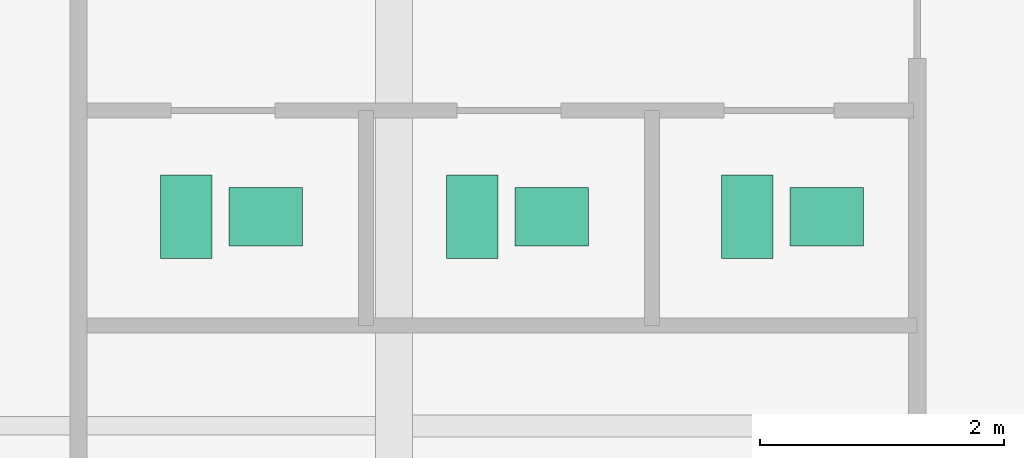
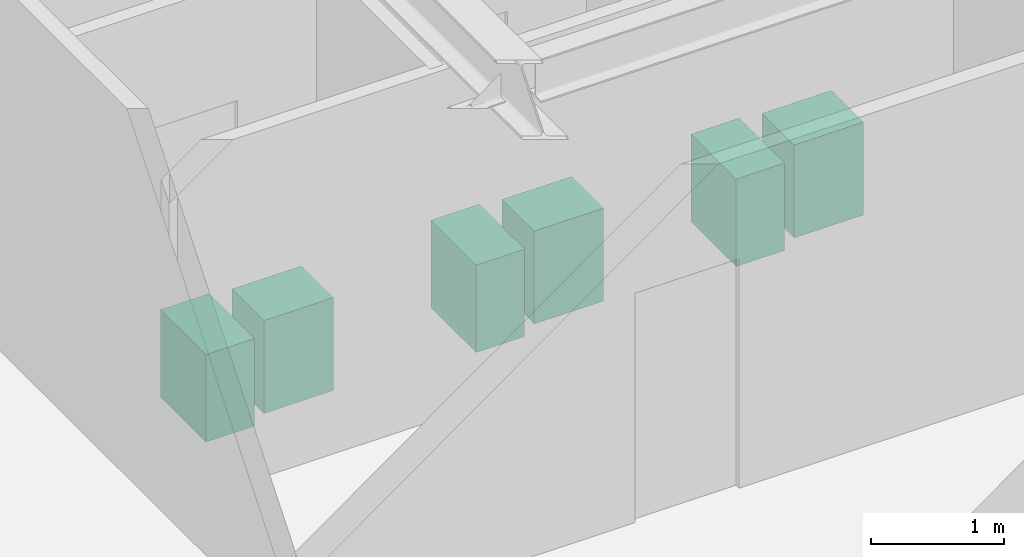
# One storey, part 24 of 24: 6 sanitary terminals.
"""IFC4 building model written with IfcOpenShell, lengths in metres."""

from ifc_helpers import new_model, si_unit, direction, frame, origin, origin_2d, place, context, subcontext, project, spatial, rectangle, extrude, source, transform, mapped, material, type_object, type_shapes, element, save


model = new_model("IFC4")

# Units and contexts
model_context = context("Model", 3, precision=1e-05, world=origin(), true_north=direction((0.0, 1.0)))
body_context = subcontext(model_context, "Body", "Model", "MODEL_VIEW")
ifc_project = project(units=[si_unit("LENGTHUNIT", "METRE"), si_unit("AREAUNIT", "SQUARE_METRE"), si_unit("VOLUMEUNIT", "CUBIC_METRE"), si_unit("PLANEANGLEUNIT", "RADIAN"), si_unit("MASSUNIT", "GRAM", prefix="KILO")], contexts=[model_context])

# Site, building, storey
site_placement = place(None, origin())
site = spatial("IfcSite", under=ifc_project, at=site_placement, CompositionType="ELEMENT")
building_placement = place(site_placement, origin())
building = spatial("IfcBuilding", under=site, at=building_placement, Name="Krantzveldt Concourse Tower", CompositionType="ELEMENT")
storey_placement = place(building_placement, frame((0.0, 0.0, 231.0)))
storey = spatial("IfcBuildingStorey", under=building, at=storey_placement, Name="L56", CompositionType="ELEMENT", Elevation=231.0)

# Sanitary terminals
ifc_material = material(Name="Vitreous china", Category="ceramic")
sanitary_terminal_type_1 = type_object("IfcSanitaryTerminalType", Name="SAN-WC-SUITE", PredefinedType="TOILETPAN", material=ifc_material)
shared_shape_1 = source(origin(), body_context, "Body", "SweptSolid", [
    extrude(rectangle(XDim=0.419921875, YDim=0.679931640625, at=origin_2d()), origin(), (0.0, 0.0, 1.0), 0.800048828125),
])
type_shapes(sanitary_terminal_type_1, [shared_shape_1])
for number, where, z_axis, x_axis, name in (
    (1, (28.89990234375, 31.909912109375, 0.0), (0.0, 0.0, 1.0), (1.0, 0.0, 0.0), "WC-SP-L56-WCM"),
    (2, (31.239990234375, 31.909912109375, 0.0), (0.0, 0.0, 1.0), (1.0, 0.0, 0.0), "WC-SP-L56-WCF"),
    (3, (33.489990234375, 31.909912109375, 0.0), (0.0, 0.0, 1.0), (1.0, 0.0, 0.0), "WC-SP-L56-WCA"),
):
    element("IfcSanitaryTerminal", number, at=place(storey_placement, frame(where, z_axis=z_axis, x_axis=x_axis)), inside=storey, type_object=sanitary_terminal_type_1, Name=name, PredefinedType="TOILETPAN", context=body_context, shape_type="MappedRepresentation", body=[
        mapped(shared_shape_1, transform((0.0, 0.0, 0.0), x_axis=(1.0, 0.0, 0.0), y_axis=(0.0, 1.0, 0.0), z_axis=(0.0, 0.0, 1.0), scale=1.0)),
    ])
sanitary_terminal_type_2 = type_object("IfcSanitaryTerminalType", Name="SAN-BASIN-600", PredefinedType="WASHHANDBASIN", material=ifc_material)
shared_shape_2 = source(origin(), body_context, "Body", "SweptSolid", [
    extrude(rectangle(XDim=0.60009765625, YDim=0.47998046875, at=origin_2d()), origin(), (0.0, 0.0, 1.0), 0.85009765625),
])
type_shapes(sanitary_terminal_type_2, [shared_shape_2])
for number, where, z_axis, x_axis, name in (
    (4, (29.550048828125, 31.909912109375, 0.0048828125), (0.0, 0.0, 1.0), (1.0, 0.0, 0.0), "BSN-SP-L56-WCM"),
    (5, (31.889892578125, 31.909912109375, 0.0048828125), (0.0, 0.0, 1.0), (1.0, 0.0, 0.0), "BSN-SP-L56-WCF"),
    (6, (34.139892578125, 31.909912109375, 0.0048828125), (0.0, 0.0, 1.0), (1.0, 0.0, 0.0), "BSN-SP-L56-WCA"),
):
    element("IfcSanitaryTerminal", number, at=place(storey_placement, frame(where, z_axis=z_axis, x_axis=x_axis)), inside=storey, type_object=sanitary_terminal_type_2, Name=name, PredefinedType="WASHHANDBASIN", context=body_context, shape_type="MappedRepresentation", body=[
        mapped(shared_shape_2, transform((0.0, 0.0, 0.0), x_axis=(1.0, 0.0, 0.0), y_axis=(0.0, 1.0, 0.0), z_axis=(0.0, 0.0, 1.0), scale=1.0)),
    ])

save(model, "model.ifc")
